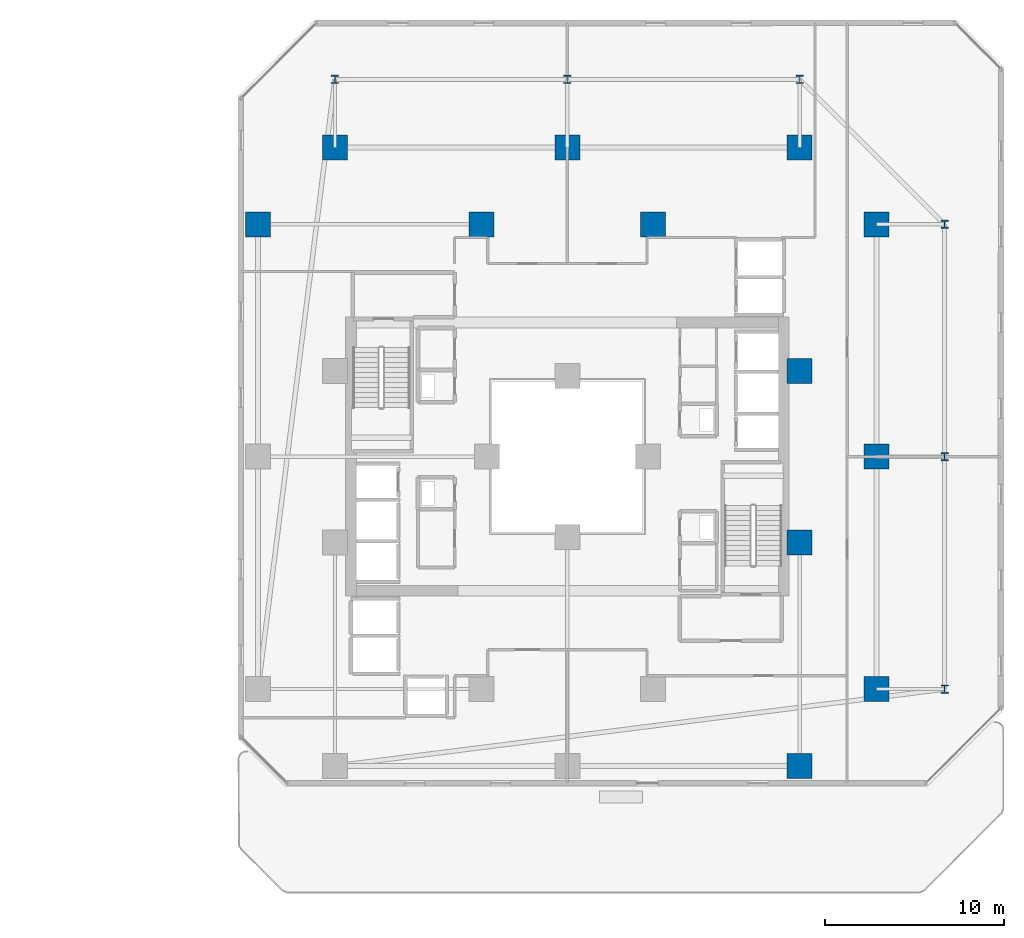
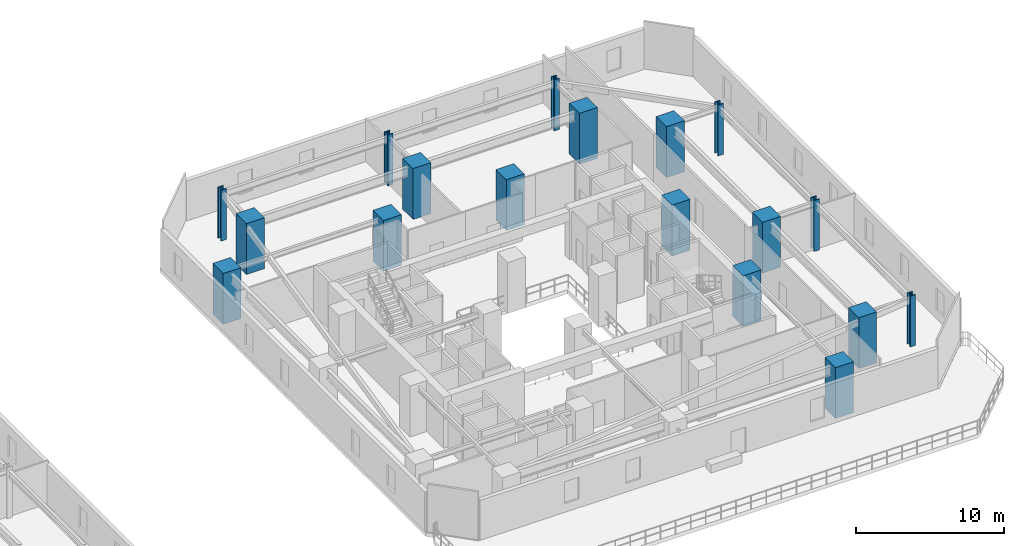
# One storey, part 2 of 33: 18 columns.
"""IFC4 building model written with IfcOpenShell, lengths in metres."""

from ifc_helpers import new_model, si_unit, direction, frame, origin, origin_2d, place, context, subcontext, project, spatial, rectangle, i_section, extrude, material, material_profile, profile_set, type_object, element, save


model = new_model("IFC4")

# Units and contexts
model_context = context("Model", 3, precision=1e-05, world=origin(), true_north=direction((0.0, 1.0)))
body_context = subcontext(model_context, "Body", "Model", "MODEL_VIEW")
ifc_project = project(units=[si_unit("LENGTHUNIT", "METRE"), si_unit("AREAUNIT", "SQUARE_METRE"), si_unit("VOLUMEUNIT", "CUBIC_METRE"), si_unit("PLANEANGLEUNIT", "RADIAN"), si_unit("MASSUNIT", "GRAM", prefix="KILO")], contexts=[model_context])

# Site, building, storey
site_placement = place(None, origin())
site = spatial("IfcSite", under=ifc_project, at=site_placement, CompositionType="ELEMENT")
building_placement = place(site_placement, origin())
building = spatial("IfcBuilding", under=site, at=building_placement, Name="Thornwick Lancets Civic Towers", CompositionType="ELEMENT")
storey_placement = place(building_placement, frame((0.0, 0.0, 49.5)))
storey = spatial("IfcBuildingStorey", under=building, at=storey_placement, Name="L12", CompositionType="ELEMENT", Elevation=49.5)

# Columns
ifc_material_1 = material(Name="Concrete C60/75", Category="concrete")
ifc_material_profile_1 = material_profile(ifc_material_1, rectangle(XDim=1.39990234375, YDim=1.39990234375, at=origin_2d()), Name="RC 1400x1400")
ifc_profile_set_1 = profile_set([ifc_material_profile_1], Name="Concrete C60/75")
column_type_1 = type_object("IfcColumnType", Name="COL_RC_1400", PredefinedType="COLUMN", material=ifc_profile_set_1)
for number, where, z_axis, x_axis, name in (
    (1, (105.800048828125, 14.0, 0.0), (0.0, 0.0, 1.0), (1.0, 0.0, 0.0), "L12 Spine Mega-Column B01"),
    (2, (105.800048828125, 27.0, 0.0), (0.0, 0.0, 1.0), (1.0, 0.0, 0.0), "L12 Spine Mega-Column B02"),
    (3, (105.800048828125, 40.0, 0.0), (0.0, 0.0, 1.0), (1.0, 0.0, 0.0), "L12 Spine Mega-Column B03"),
    (4, (101.5, 44.300048828125, 0.0), (0.0, 0.0, 1.0), (1.0, 0.0, 0.0), "L12 Spine Mega-Column B04"),
    (5, (88.5, 44.300048828125, 0.0), (0.0, 0.0, 1.0), (1.0, 0.0, 0.0), "L12 Spine Mega-Column B05"),
    (6, (75.5, 44.300048828125, 0.0), (0.0, 0.0, 1.0), (1.0, 0.0, 0.0), "L12 Spine Mega-Column B06"),
    (7, (71.199951171875, 40.0, 0.0), (0.0, 0.0, 1.0), (1.0, 0.0, 0.0), "L12 Spine Mega-Column B09"),
    (8, (101.5, 9.699951171875, 0.0), (0.0, 0.0, 1.0), (1.0, 0.0, 0.0), "L12 Spine Mega-Column B10"),
    (9, (93.300048828125, 40.0, 0.0), (0.0, 0.0, 1.0), (1.0, 0.0, 0.0), "L12 Spine Mega-Column B14"),
    (10, (83.699951171875, 40.0, 0.0), (0.0, 0.0, 1.0), (1.0, 0.0, 0.0), "L12 Spine Mega-Column B16"),
    (11, (101.5, 22.199951171875, 0.0), (0.0, 0.0, 1.0), (1.0, 0.0, 0.0), "L12 Spine Mega-Column B17"),
    (12, (101.5, 31.800048828125, 0.0), (0.0, 0.0, 1.0), (1.0, 0.0, 0.0), "L12 Spine Mega-Column B18"),
):
    element("IfcColumn", number, at=place(storey_placement, frame(where, z_axis=z_axis, x_axis=x_axis)), inside=storey, type_object=column_type_1, Name=name, PredefinedType="COLUMN", context=body_context, shape_type="SweptSolid", body=[
        extrude(rectangle(XDim=1.39990234375, YDim=1.39990234375, at=origin_2d()), origin(), (0.0, 0.0, 1.0), 4.199951171875),
    ])
ifc_material_2 = material(Name="Steel S460M", Category="steel")
ifc_material_profile_2 = material_profile(ifc_material_2, i_section(OverallWidth=0.424072265625, OverallDepth=0.474609375, WebThickness=0.047607421875, FlangeThickness=0.076904296875, FilletRadius=0.01513671875, at=origin_2d()), Name="UKC 356x406x634")
ifc_profile_set_2 = profile_set([ifc_material_profile_2], Name="Steel S460M")
column_type_2 = type_object("IfcColumnType", Name="COL_UKC_634", PredefinedType="COLUMN", material=ifc_profile_set_2)
for number, where, z_axis, x_axis, name in (
    (13, (109.60009765625, 14.0, 0.0), (0.0, 0.0, 1.0), (1.0, 0.0, 0.0), "L12 Block Perimeter Column B01"),
    (14, (109.60009765625, 27.0, 0.0), (0.0, 0.0, 1.0), (1.0, 0.0, 0.0), "L12 Block Perimeter Column B02"),
    (15, (109.60009765625, 40.0, 0.0), (0.0, 0.0, 1.0), (1.0, 0.0, 0.0), "L12 Block Perimeter Column B03"),
    (16, (101.5, 48.10009765625, 0.0), (0.0, 0.0, 1.0), (1.0, 0.0, 0.0), "L12 Block Perimeter Column B04"),
    (17, (88.5, 48.10009765625, 0.0), (0.0, 0.0, 1.0), (1.0, 0.0, 0.0), "L12 Block Perimeter Column B05"),
    (18, (75.5, 48.10009765625, 0.0), (0.0, 0.0, 1.0), (1.0, 0.0, 0.0), "L12 Block Perimeter Column B06"),
):
    element("IfcColumn", number, at=place(storey_placement, frame(where, z_axis=z_axis, x_axis=x_axis)), inside=storey, type_object=column_type_2, Name=name, PredefinedType="COLUMN", context=body_context, shape_type="SweptSolid", body=[
        extrude(i_section(OverallWidth=0.424072265625, OverallDepth=0.474609375, WebThickness=0.047607421875, FlangeThickness=0.076904296875, FilletRadius=0.01513671875, at=origin_2d()), origin(), (0.0, 0.0, 1.0), 4.199951171875),
    ])

save(model, "model.ifc")
